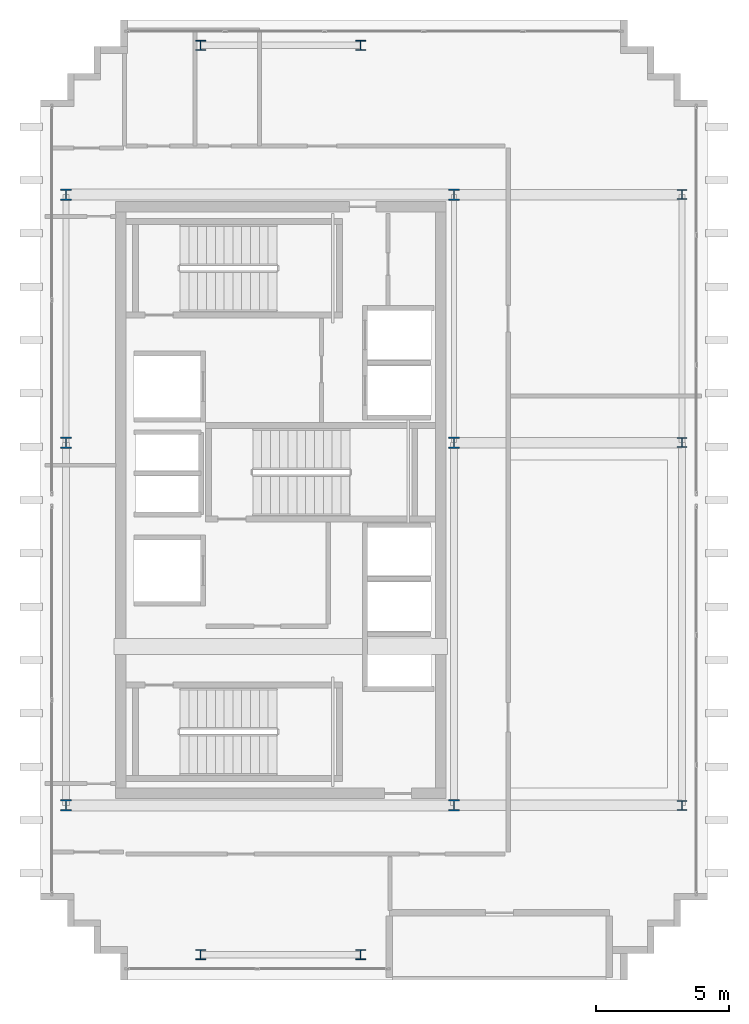
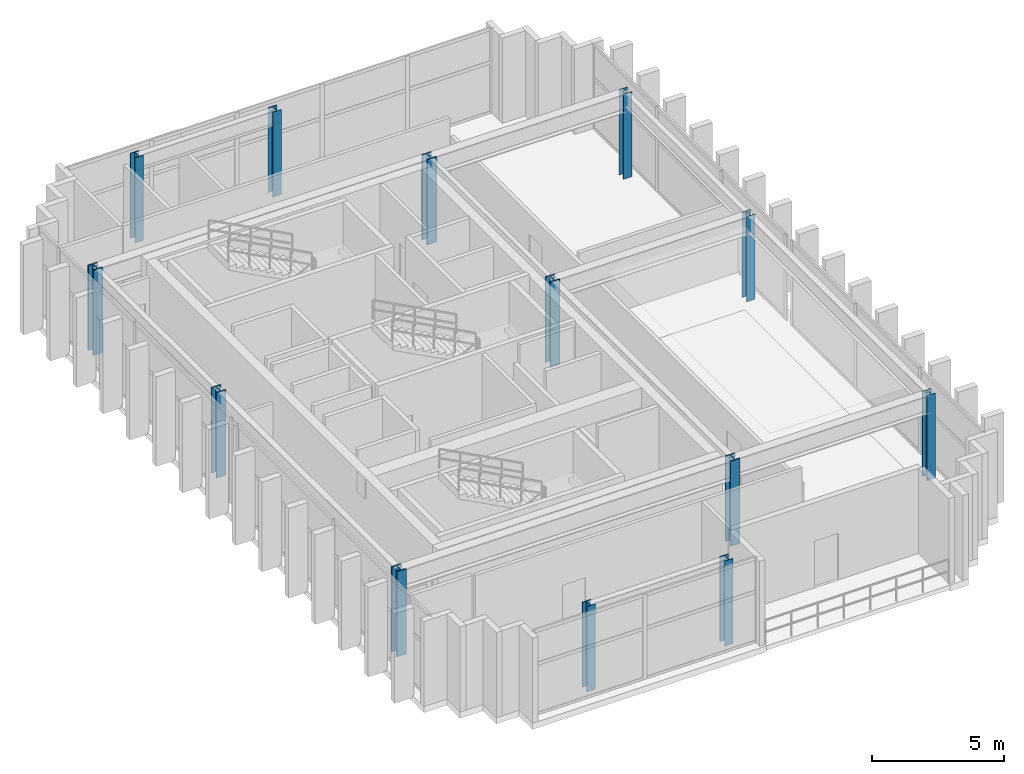
# One storey, part 1 of 14: 13 columns.
"""IFC4 building model written with IfcOpenShell, lengths in metres."""

from ifc_helpers import new_model, si_unit, direction, frame, origin, origin_2d, place, context, subcontext, project, spatial, i_section, extrude, source, transform, mapped, material, material_profile, profile_set, type_object, element, save


model = new_model("IFC4")

# Units and contexts
model_context = context("Model", 3, precision=1e-05, world=origin(), true_north=direction((0.0, 1.0)))
body_context = subcontext(model_context, "Body", "Model", "MODEL_VIEW")
ifc_project = project(units=[si_unit("LENGTHUNIT", "METRE"), si_unit("AREAUNIT", "SQUARE_METRE"), si_unit("VOLUMEUNIT", "CUBIC_METRE"), si_unit("PLANEANGLEUNIT", "RADIAN"), si_unit("MASSUNIT", "GRAM", prefix="KILO")], contexts=[model_context])

# Site, building, storey
site_placement = place(None, origin())
site = spatial("IfcSite", under=ifc_project, at=site_placement, CompositionType="ELEMENT")
building_placement = place(site_placement, origin())
building = spatial("IfcBuilding", under=site, at=building_placement, Name="Ocotamira Hotel", CompositionType="ELEMENT")
storey_placement = place(building_placement, frame((0.0, 0.0, 301.199951171875)))
storey = spatial("IfcBuildingStorey", under=building, at=storey_placement, Name="L77", CompositionType="ELEMENT", Elevation=301.199951171875)

# Columns
ifc_material_1 = material(Name="Steel ASTM A913 Grade 65", Category="steel")
ifc_material_profile_1 = material_profile(ifc_material_1, i_section(OverallWidth=0.412109375, OverallDepth=0.43505859375, WebThickness=0.035888671875, FlangeThickness=0.057373046875, FilletRadius=0.02490234375, at=origin_2d()), Name="W14X311")
ifc_profile_set_1 = profile_set([ifc_material_profile_1], Name="Steel ASTM A913 Grade 65")
column_type_1 = type_object("IfcColumnType", Name="COL-W14X311", PredefinedType="COLUMN", material=ifc_profile_set_1)
shared_shape_1 = source(origin(), body_context, "Body", "SweptSolid", [
    extrude(i_section(OverallWidth=0.412109375, OverallDepth=0.43505859375, WebThickness=0.035888671875, FlangeThickness=0.057373046875, FilletRadius=0.02490234375, at=origin_2d()), origin(), (0.0, 0.0, 1.0), 3.920166015625),
])
for number, where, z_axis, x_axis, name in (
    (1, (8.949951171875, 14.550048828125, 0.0), (0.0, 0.0, 1.0), (1.0, 0.0, 0.0), "L77 Column TW8_14"),
    (2, (23.5, 14.550048828125, 0.0), (0.0, 0.0, 1.0), (1.0, 0.0, 0.0), "L77 Column TW23_14"),
    (3, (8.949951171875, 28.14990234375, 0.0), (0.0, 0.0, 1.0), (1.0, 0.0, 0.0), "L77 Column TW8_28"),
    (4, (23.5, 28.14990234375, 0.0), (0.0, 0.0, 1.0), (1.0, 0.0, 0.0), "L77 Column TW23_28"),
    (5, (8.949951171875, 37.449951171875, 0.0), (0.0, 0.0, 1.0), (1.0, 0.0, 0.0), "L77 Column TW8_37"),
    (6, (23.5, 37.449951171875, 0.0), (0.0, 0.0, 1.0), (1.0, 0.0, 0.0), "L77 Column TW23_37"),
):
    element("IfcColumn", number, at=place(storey_placement, frame(where, z_axis=z_axis, x_axis=x_axis)), inside=storey, type_object=column_type_1, Name=name, PredefinedType="COLUMN", context=body_context, shape_type="MappedRepresentation", body=[
        mapped(shared_shape_1, transform((0.0, 0.0, 0.0), scale=1.0)),
    ])
ifc_material_2 = material(Name="Steel ASTM A992 Grade 50", Category="steel")
ifc_material_profile_2 = material_profile(ifc_material_2, i_section(OverallWidth=0.3740234375, OverallDepth=0.373046875, WebThickness=0.016357421875, FlangeThickness=0.026123046875, FilletRadius=0.02490234375, at=origin_2d()), Name="W14X132")
ifc_profile_set_2 = profile_set([ifc_material_profile_2], Name="Steel ASTM A992 Grade 50")
column_type_2 = type_object("IfcColumnType", Name="COL-W14X132", PredefinedType="COLUMN", material=ifc_profile_set_2)
shared_shape_2 = source(origin(), body_context, "Body", "SweptSolid", [
    extrude(i_section(OverallWidth=0.3740234375, OverallDepth=0.373046875, WebThickness=0.016357421875, FlangeThickness=0.026123046875, FilletRadius=0.02490234375, at=origin_2d()), origin(), (0.0, 0.0, 1.0), 3.920166015625),
])
for number, where, z_axis, x_axis, name in (
    (7, (14.0, 8.949951171875, 0.0), (0.0, 0.0, 1.0), (1.0, 0.0, 0.0), "L77 Column NSP1_14"),
    (8, (20.0, 8.949951171875, 0.0), (0.0, 0.0, 1.0), (1.0, 0.0, 0.0), "L77 Column NSP1_20"),
    (9, (14.0, 43.050048828125, 0.0), (0.0, 0.0, 1.0), (1.0, 0.0, 0.0), "L77 Column NSP2_14"),
    (10, (20.0, 43.050048828125, 0.0), (0.0, 0.0, 1.0), (1.0, 0.0, 0.0), "L77 Column NSP2_20"),
):
    element("IfcColumn", number, at=place(storey_placement, frame(where, z_axis=z_axis, x_axis=x_axis)), inside=storey, type_object=column_type_2, Name=name, PredefinedType="COLUMN", context=body_context, shape_type="MappedRepresentation", body=[
        mapped(shared_shape_2, transform((0.0, 0.0, 0.0), scale=1.0)),
    ])
ifc_material_profile_3 = material_profile(ifc_material_2, i_section(OverallWidth=0.368896484375, OverallDepth=0.35595703125, WebThickness=0.01123046875, FlangeThickness=0.01806640625, FilletRadius=0.02490234375, at=origin_2d()), Name="W14X90")
ifc_profile_set_3 = profile_set([ifc_material_profile_3], Name="Steel ASTM A992 Grade 50")
column_type_3 = type_object("IfcColumnType", Name="COL-W14X90", PredefinedType="COLUMN", material=ifc_profile_set_3)
shared_shape_3 = source(origin(), body_context, "Body", "SweptSolid", [
    extrude(i_section(OverallWidth=0.368896484375, OverallDepth=0.35595703125, WebThickness=0.01123046875, FlangeThickness=0.01806640625, FilletRadius=0.02490234375, at=origin_2d()), origin(), (0.0, 0.0, 1.0), 3.920166015625),
])
for number, where, z_axis, x_axis, name in (
    (11, (32.050048828125, 14.550048828125, 0.0), (0.0, 0.0, 1.0), (1.0, 0.0, 0.0), "L77 Column WPE32_14"),
    (12, (32.050048828125, 28.14990234375, 0.0), (0.0, 0.0, 1.0), (1.0, 0.0, 0.0), "L77 Column WPE32_28"),
    (13, (32.050048828125, 37.449951171875, 0.0), (0.0, 0.0, 1.0), (1.0, 0.0, 0.0), "L77 Column WPE32_37"),
):
    element("IfcColumn", number, at=place(storey_placement, frame(where, z_axis=z_axis, x_axis=x_axis)), inside=storey, type_object=column_type_3, Name=name, PredefinedType="COLUMN", context=body_context, shape_type="MappedRepresentation", body=[
        mapped(shared_shape_3, transform((0.0, 0.0, 0.0), scale=1.0)),
    ])

save(model, "model.ifc")
